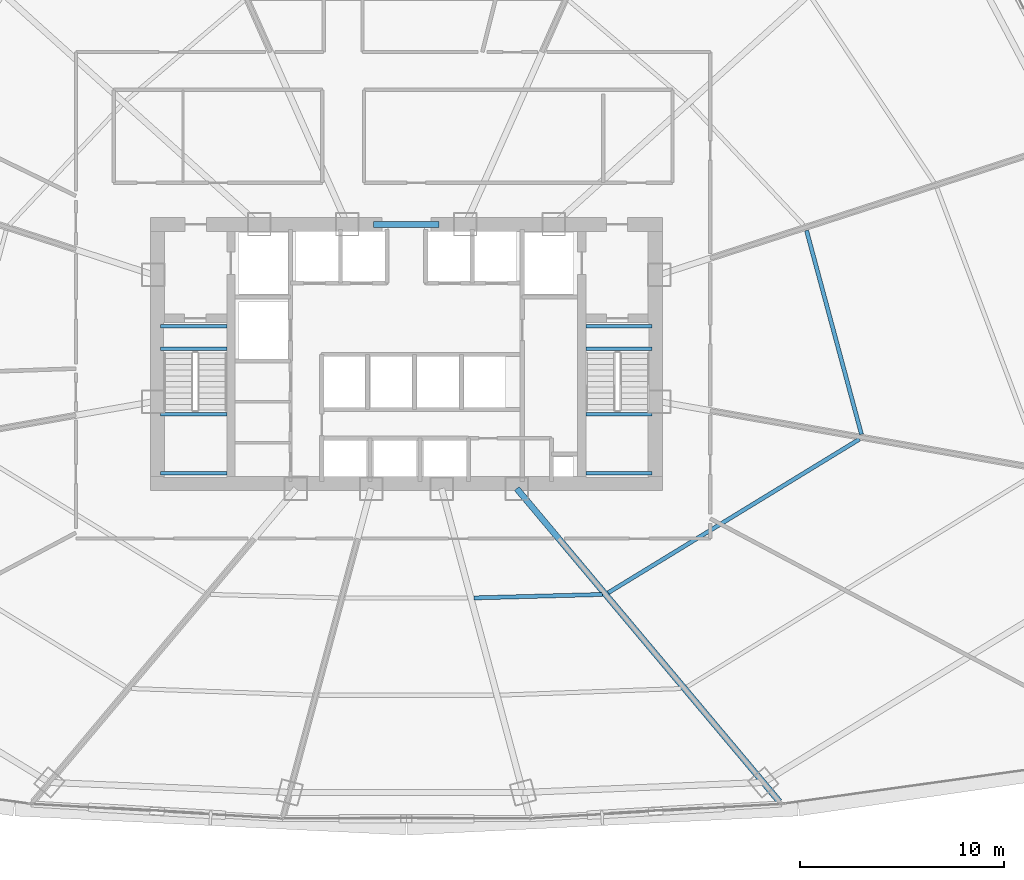
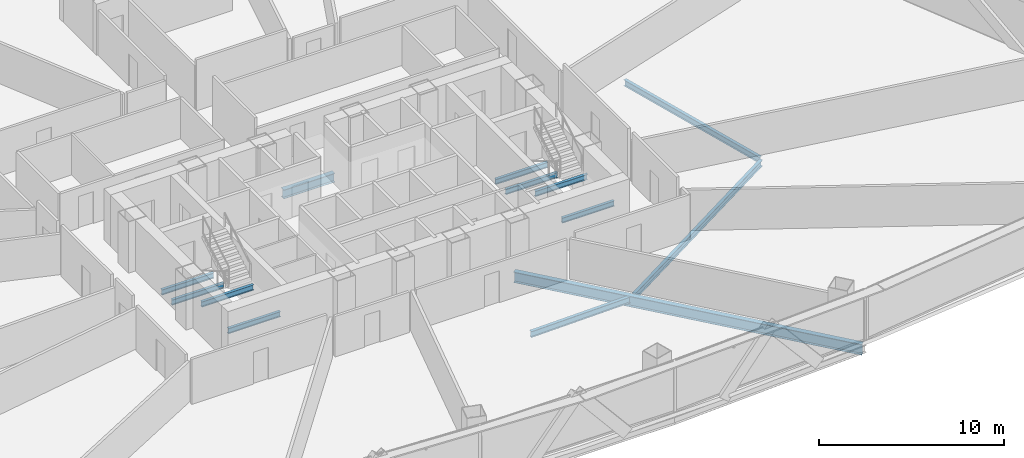
# One storey, part 13 of 37: 13 beams.
"""IFC4 building model written with IfcOpenShell, lengths in metres."""

from ifc_helpers import new_model, si_unit, direction, frame, origin, origin_2d, place, context, subcontext, project, spatial, i_section, extrude, source, transform, mapped, material, material_profile, profile_set, type_object, element, save


model = new_model("IFC4")

# Units and contexts
model_context = context("Model", 3, precision=1e-05, world=origin(), true_north=direction((0.0, 1.0)))
body_context = subcontext(model_context, "Body", "Model", "MODEL_VIEW")
ifc_project = project(units=[si_unit("LENGTHUNIT", "METRE"), si_unit("AREAUNIT", "SQUARE_METRE"), si_unit("VOLUMEUNIT", "CUBIC_METRE"), si_unit("PLANEANGLEUNIT", "RADIAN"), si_unit("MASSUNIT", "GRAM", prefix="KILO"), si_unit("THERMODYNAMICTEMPERATUREUNIT", "KELVIN"), si_unit("POWERUNIT", "WATT")], contexts=[model_context])

# Site, building, storey
site_placement = place(None, origin())
site = spatial("IfcSite", under=ifc_project, at=site_placement, CompositionType="ELEMENT")
building_placement = place(site_placement, origin())
building = spatial("IfcBuilding", under=site, at=building_placement, Name="Yunzhuo Pagoda Commons", CompositionType="ELEMENT")
storey_placement = place(building_placement, frame((0.0, 0.0, 52.179931640625)))
storey = spatial("IfcBuildingStorey", under=building, at=storey_placement, Name="L13", CompositionType="ELEMENT", Elevation=52.179931640625)

# Beams
ifc_material_1 = material(Name="Structural steel Q355B", Category="steel")
ifc_material_profile_1 = material_profile(ifc_material_1, i_section(OverallWidth=0.175048828125, OverallDepth=0.35009765625, WebThickness=0.007080078125, FlangeThickness=0.010986328125, at=origin_2d()), Name="Structural steel Q355B")
ifc_profile_set_1 = profile_set([ifc_material_profile_1], Name="Structural steel Q355B")
beam_type_1 = type_object("IfcBeamType", Name="B-JS2 Joist HN 350x175x7x11", PredefinedType="JOIST", material=ifc_profile_set_1)
shared_shape_1 = source(origin(), body_context, "Body", "SweptSolid", [
    extrude(i_section(OverallWidth=0.175048828125, OverallDepth=0.35009765625, WebThickness=0.007080078125, FlangeThickness=0.010986328125, at=origin_2d()), origin(), (0.0, 0.0, 1.0), 3.25),
])
for number, where, z_axis, x_axis, name in (
    (1, (35.949951171875, 28.0, 1.440185546875), (1.0, 0.0, 0.0), (0.0, 1.0, 0.0), "L13 ST1 landing support beam 17A"),
    (2, (35.949951171875, 30.89990234375, 1.440185546875), (1.0, 0.0, 0.0), (0.0, 1.0, 0.0), "L13 ST1 landing support beam 17B"),
    (3, (35.949951171875, 34.10009765625, -0.375), (1.0, 0.0, 0.0), (0.0, 1.0, 0.0), "L13 ST1 landing support beam 117A"),
    (4, (35.949951171875, 35.199951171875, -0.375), (1.0, 0.0, 0.0), (0.0, 1.0, 0.0), "L13 ST1 landing support beam 117B"),
    (5, (56.800048828125, 28.0, 1.440185546875), (1.0, 0.0, 0.0), (0.0, 1.0, 0.0), "L13 ST2 landing support beam 17A"),
    (6, (56.800048828125, 30.89990234375, 1.440185546875), (1.0, 0.0, 0.0), (0.0, 1.0, 0.0), "L13 ST2 landing support beam 17B"),
    (7, (56.800048828125, 34.10009765625, -0.375), (1.0, 0.0, 0.0), (0.0, 1.0, 0.0), "L13 ST2 landing support beam 117A"),
    (8, (56.800048828125, 35.199951171875, -0.375), (1.0, 0.0, 0.0), (0.0, 1.0, 0.0), "L13 ST2 landing support beam 117B"),
):
    element("IfcBeam", number, at=place(storey_placement, frame(where, z_axis=z_axis, x_axis=x_axis)), inside=storey, type_object=beam_type_1, Name=name, PredefinedType="JOIST", context=body_context, shape_type="MappedRepresentation", body=[
        mapped(shared_shape_1, transform((0.0, 0.0, 0.0), scale=1.0)),
    ])
ifc_material_2 = material(Name="Structural steel Q420B", Category="steel")
ifc_material_profile_2 = material_profile(ifc_material_2, i_section(OverallWidth=0.300048828125, OverallDepth=0.587890625, WebThickness=0.011962890625, FlangeThickness=0.02001953125, at=origin_2d()), Name="Structural steel Q420B")
ifc_profile_set_2 = profile_set([ifc_material_profile_2], Name="Structural steel Q420B")
beam_type_2 = type_object("IfcBeamType", Name="B-CPL Beam HM 588x300x12x20", PredefinedType="BEAM", material=ifc_profile_set_2)
shared_shape_2 = source(origin(), body_context, "Body", "SweptSolid", [
    extrude(i_section(OverallWidth=0.300048828125, OverallDepth=0.587890625, WebThickness=0.011962890625, FlangeThickness=0.02001953125, at=origin_2d()), origin(), (0.0, 0.0, 1.0), 3.2001953125),
])
beam_1_placement = place(storey_placement, frame((46.39990234375, 40.199951171875, -0.553955078125), z_axis=(1.0, 0.0, 0.0), x_axis=(0.0, 1.0, 0.0)))
element("IfcBeam", 9, at=beam_1_placement, inside=storey, type_object=beam_type_2, Name="L13 core coupling girder", PredefinedType="BEAM", context=body_context, shape_type="MappedRepresentation", body=[
    mapped(shared_shape_2, transform((0.0, 0.0, 0.0), scale=1.0)),
])
ifc_material_profile_3 = material_profile(ifc_material_1, i_section(OverallWidth=0.199951171875, OverallDepth=0.39990234375, WebThickness=0.008056640625, FlangeThickness=0.012939453125, at=origin_2d()), Name="Structural steel Q355B")
ifc_profile_set_3 = profile_set([ifc_material_profile_3], Name="Structural steel Q355B")
beam_type_3 = type_object("IfcBeamType", Name="B-JS1 Joist HN 400x200x8x13", PredefinedType="JOIST", material=ifc_profile_set_3)
shared_shape_3 = source(origin(), body_context, "Body", "SweptSolid", [
    extrude(i_section(OverallWidth=0.199951171875, OverallDepth=0.39990234375, WebThickness=0.008056640625, FlangeThickness=0.012939453125, at=origin_2d()), origin(), (0.0, 0.0, 1.0), 6.283203125),
])
beam_2_placement = place(storey_placement, frame((51.32421875, 21.89111328125, -0.4599609375), z_axis=(0.999638450037, 0.026888086735, 0.0), x_axis=(-0.026888086735, 0.999638450037, 0.0)))
element("IfcBeam", 10, at=beam_2_placement, inside=storey, type_object=beam_type_3, Name="L13 composite ring joist 1.3", PredefinedType="JOIST", context=body_context, shape_type="MappedRepresentation", body=[
    mapped(shared_shape_3, transform((0.0, 0.0, 0.0), scale=1.0)),
])
shared_shape_4 = source(origin(), body_context, "Body", "SweptSolid", [
    extrude(i_section(OverallWidth=0.199951171875, OverallDepth=0.39990234375, WebThickness=0.008056640625, FlangeThickness=0.012939453125, at=origin_2d()), origin(), (0.0, 0.0, 1.0), 14.4365234375),
])
beam_3_placement = place(storey_placement, frame((57.8994140625, 22.14697265625, -0.4599609375), z_axis=(0.85325633277, 0.521491735876, 0.0), x_axis=(-0.521491735876, 0.85325633277, 0.0)))
element("IfcBeam", 11, at=beam_3_placement, inside=storey, type_object=beam_type_3, Name="L13 composite ring joist 1.4", PredefinedType="JOIST", context=body_context, shape_type="MappedRepresentation", body=[
    mapped(shared_shape_4, transform((0.0, 0.0, 0.0), scale=1.0)),
])
shared_shape_5 = source(origin(), body_context, "Body", "SweptSolid", [
    extrude(i_section(OverallWidth=0.199951171875, OverallDepth=0.39990234375, WebThickness=0.008056640625, FlangeThickness=0.012939453125, at=origin_2d()), origin(), (0.0, 0.0, 1.0), 10.351806640625),
])
beam_4_placement = place(storey_placement, frame((70.311767578125, 29.912109375, -0.4599609375), z_axis=(-0.260208595802, 0.965552425646, 0.0), x_axis=(-0.965552425646, -0.260208595802, 0.0)))
element("IfcBeam", 12, at=beam_4_placement, inside=storey, type_object=beam_type_3, Name="L13 composite ring joist 1.5", PredefinedType="JOIST", context=body_context, shape_type="MappedRepresentation", body=[
    mapped(shared_shape_5, transform((0.0, 0.0, 0.0), scale=1.0)),
])
ifc_material_profile_4 = material_profile(ifc_material_1, i_section(OverallWidth=0.300048828125, OverallDepth=0.699951171875, WebThickness=0.012939453125, FlangeThickness=0.02392578125, at=origin_2d()), Name="Structural steel Q355B")
ifc_profile_set_4 = profile_set([ifc_material_profile_4], Name="Structural steel Q355B")
beam_type_4 = type_object("IfcBeamType", Name="B-RG1 Beam HN 700x300x13x24", PredefinedType="BEAM", material=ifc_profile_set_4)
shared_shape_6 = source(origin(), body_context, "Body", "SweptSolid", [
    extrude(i_section(OverallWidth=0.300048828125, OverallDepth=0.699951171875, WebThickness=0.012939453125, FlangeThickness=0.02392578125, at=origin_2d()), origin(), (0.0, 0.0, 1.0), 20.031005859375),
])
beam_5_placement = place(storey_placement, frame((66.287841796875, 11.9052734375, -0.60986328125), z_axis=(-0.642786965849, 0.766044983362, 0.0), x_axis=(-0.766044983362, -0.642786965849, 0.0)))
element("IfcBeam", 13, at=beam_5_placement, inside=storey, type_object=beam_type_4, Name="L13 radial floor girder F1C4", PredefinedType="BEAM", context=body_context, shape_type="MappedRepresentation", body=[
    mapped(shared_shape_6, transform((0.0, 0.0, 0.0), scale=1.0)),
])

save(model, "model.ifc")
